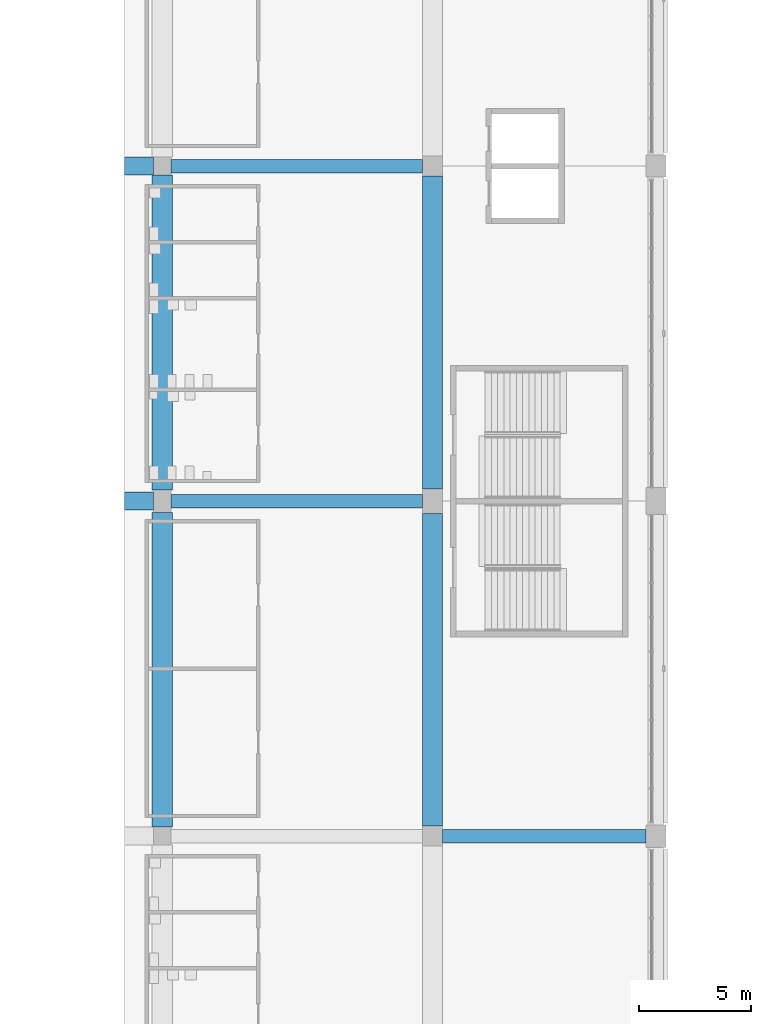
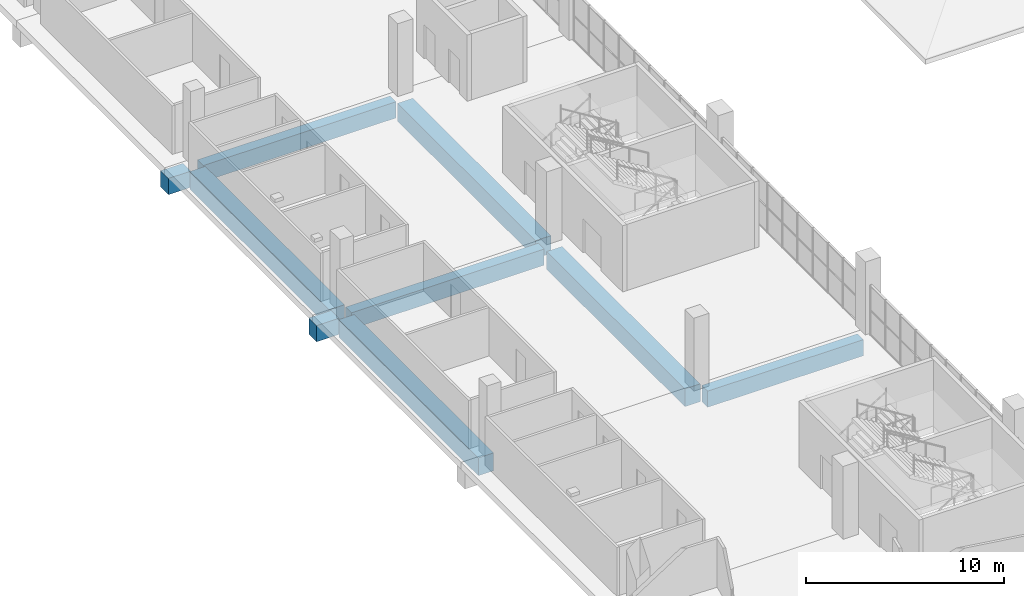
# One storey, part 28 of 199: 9 beams.
"""IFC4 building model written with IfcOpenShell, lengths in metres."""

import ifcopenshell
import ifcopenshell.guid

model = None  # the IFC model being written
_history = None  # IfcOwnerHistory: only IFC2X3 demands one
_inside = {}  # id of a spatial element -> (the spatial element, [elements in it])
_under = {}  # id of a project, library or spatial element -> (it, [spatial elements below it])
_declared = {}  # id of a project -> (the project, [libraries it declares])
_typed = {}  # id of a type object -> (the type object, [elements of that type])
_made_of = {}  # id of a material, layer set ... -> (it, [elements and type objects made of it])


def new_model(schema):
    """Start an empty IFC model of exactly this schema.

    Asked for "IFC4X3", IfcOpenShell would pick the latest addendum, in which some entities
    have other attributes; the version numbers below select the first issue.
    IFC2X3 requires an IfcOwnerHistory on every rooted entity: one is made here for all.
    """
    global model, _history
    if schema == "IFC4X3":
        model = ifcopenshell.file(schema_version=(4, 3, 0, 0))
    else:
        model = ifcopenshell.file(schema=schema)
    _inside.clear()
    _under.clear()
    _declared.clear()
    _typed.clear()
    _made_of.clear()
    _history = None
    if model.schema == "IFC2X3":
        org = make("IfcOrganization", Name="unknown")
        user = make(
            "IfcPersonAndOrganization",
            ThePerson=make("IfcPerson", FamilyName="unknown"),
            TheOrganization=org,
        )
        app = make(
            "IfcApplication",
            ApplicationDeveloper=org,
            Version="unknown",
            ApplicationFullName="unknown",
            ApplicationIdentifier="unknown",
        )
        _history = make(
            "IfcOwnerHistory",
            OwningUser=user,
            OwningApplication=app,
            ChangeAction="ADDED",
            CreationDate=0,
        )
    return model


def make(cls, **values):
    """One entity of the class cls with the attributes given. An attribute that is None is left unset."""
    return model.create_entity(
        cls, **{name: value for name, value in values.items() if value is not None}
    )


def rooted(cls, **values):
    """An entity with a GlobalId (a new one), such as an element, a storey or a relation."""
    return make(cls, GlobalId=ifcopenshell.guid.new(), OwnerHistory=_history, **values)


def si_unit(unit_type, name, prefix=None):
    """IfcSIUnit, for example si_unit("LENGTHUNIT", "METRE", prefix="MILLI")."""
    return make("IfcSIUnit", UnitType=unit_type, Prefix=prefix, Name=name)


def assignment(units):
    """IfcUnitAssignment: the units of a project."""
    return None if units is None else make("IfcUnitAssignment", Units=units)


def point(xyz):
    """IfcCartesianPoint."""
    return None if xyz is None else make("IfcCartesianPoint", Coordinates=xyz)


def direction(xyz):
    """IfcDirection."""
    return None if xyz is None else make("IfcDirection", DirectionRatios=xyz)


def frame(location, z_axis=None, x_axis=None):
    """IfcAxis2Placement3D, a coordinate frame: its origin and axes. An axis left out is left unset."""
    return make(
        "IfcAxis2Placement3D",
        Location=point(location),
        Axis=direction(z_axis),
        RefDirection=direction(x_axis),
    )


def frame_2d(location, x_axis=None):
    """IfcAxis2Placement2D, a coordinate frame in the plane: its origin and x axis."""
    return make(
        "IfcAxis2Placement2D", Location=point(location), RefDirection=direction(x_axis)
    )


def origin():
    """The frame at (0, 0, 0) with its axes left unset."""
    return frame((0.0, 0.0, 0.0))


def origin_2d():
    """The frame at (0, 0) in the plane with its x axis left unset."""
    return frame_2d((0.0, 0.0))


def place(relative_to, where):
    """IfcLocalPlacement: puts the frame where relative to a parent placement (None: the world)."""
    return make(
        "IfcLocalPlacement", PlacementRelTo=relative_to, RelativePlacement=where
    )


def context(
    kind, dimensions, precision=None, world=None, true_north=None, identifier=None
):
    """IfcGeometricRepresentationContext, for example the 3D "Model" context."""
    return make(
        "IfcGeometricRepresentationContext",
        ContextIdentifier=identifier,
        ContextType=kind,
        CoordinateSpaceDimension=dimensions,
        Precision=precision,
        WorldCoordinateSystem=world,
        TrueNorth=true_north,
    )


def subcontext(parent, identifier, kind, view, scale=None):
    """IfcGeometricRepresentationSubContext, for example "Body" below "Model"."""
    return make(
        "IfcGeometricRepresentationSubContext",
        ContextIdentifier=identifier,
        ContextType=kind,
        ParentContext=parent,
        TargetScale=scale,
        TargetView=view,
    )


def project(units=None, contexts=None):
    """IfcProject with its units and contexts."""
    return rooted(
        "IfcProject",
        Name="project",
        RepresentationContexts=contexts,
        UnitsInContext=assignment(units),
    )


def spatial(cls, under=None, at=None, **own):
    """A site, building, storey or space (cls), placed at a placement, below another one or the project."""
    s = rooted(cls, ObjectPlacement=at, **own)
    if under is not None:
        _under.setdefault(under.id(), (under, []))[1].append(s)
    return s


def profile(cls, at=None, kind="AREA", **sizes):
    """A parametric profile (cls). Its sizes go by their IFC names, for example OverallWidth=200.0."""
    return make(cls, ProfileType=kind, Position=at, **sizes)


def rectangle(**sizes):
    """IfcRectangleProfileDef."""
    return profile("IfcRectangleProfileDef", **sizes)


def extrude(swept, where, along, depth):
    """IfcExtrudedAreaSolid: the profile swept, set in the frame where, extruded along a direction by depth."""
    return make(
        "IfcExtrudedAreaSolid",
        SweptArea=swept,
        Position=where,
        ExtrudedDirection=direction(along),
        Depth=depth,
    )


def shape(context_of_items, identifier, shape_type, items):
    """IfcShapeRepresentation: the items that make up one representation, for example the "Body"."""
    return make(
        "IfcShapeRepresentation",
        ContextOfItems=context_of_items,
        RepresentationIdentifier=identifier,
        RepresentationType=shape_type,
        Items=items,
    )


def material(Name=None, Category=None):
    """IfcMaterial."""
    return make("IfcMaterial", Name=Name, Category=Category)


def material_profile(
    of_material, cross_section, Name=None, Category=None, Priority=None
):
    """IfcMaterialProfile: a cross section and its material."""
    return make(
        "IfcMaterialProfile",
        Name=Name,
        Material=of_material,
        Profile=cross_section,
        Priority=Priority,
        Category=Category,
    )


def profile_set(profiles, Name=None, composite=None):
    """IfcMaterialProfileSet."""
    return make(
        "IfcMaterialProfileSet",
        Name=Name,
        MaterialProfiles=profiles,
        CompositeProfile=composite,
    )


def made_of(thing, what):
    """Note that an element or type object is made of a material, layer set ...; save() writes the relation."""
    if what is not None:
        _made_of.setdefault(what.id(), (what, []))[1].append(thing)
    return thing


def type_object(cls, material=None, **own):
    """A type object (cls), such as IfcWallType, which elements share."""
    return made_of(rooted(cls, **own), material)


def element(
    cls,
    number,
    at=None,
    inside=None,
    cuts=None,
    type_object=None,
    material=None,
    context=None,
    identifier="Body",
    shape_type=None,
    held_by="IfcProductDefinitionShape",
    body=None,
    shapes=None,
    **own,
):
    """One element of the class cls, such as IfcWall. Its Tag is "e" and its number.

    at: its placement. inside: the storey or other place that contains it. cuts: it is an
    opening in that element (IfcRelVoidsElement). A single representation is given by context,
    identifier, shape_type and body (its items); several are given by shapes. held_by: the class
    of the entity that holds the representations. save() writes the other relations.
    """
    e = rooted(cls, Tag="e%d" % number, ObjectPlacement=at, **own)
    if body is not None:
        shapes = [shape(context, identifier, shape_type, body)]
    if shapes is not None:
        e.Representation = make(held_by, Representations=shapes)
    if inside is not None:
        _inside.setdefault(inside.id(), (inside, []))[1].append(e)
    if cuts is not None:
        rooted(
            "IfcRelVoidsElement", RelatingBuildingElement=cuts, RelatedOpeningElement=e
        )
    if type_object is not None:
        _typed.setdefault(type_object.id(), (type_object, []))[1].append(e)
    return made_of(e, material)


def aggregate(whole, parts):
    """IfcRelAggregates: a whole, such as a stair, and the parts it consists of."""
    return rooted("IfcRelAggregates", RelatingObject=whole, RelatedObjects=parts)


def save(model, path):
    """Write the relations noted so far, then the file.

    IfcRelAggregates (storeys below a building ...), IfcRelContainedInSpatialStructure (elements
    in a storey), IfcRelDefinesByType, IfcRelAssociatesMaterial and IfcRelDeclares: one each for
    every whole, place, type object, material and project.
    """
    for whole, parts in _under.values():
        aggregate(whole, parts)
    for where, things in _inside.values():
        rooted(
            "IfcRelContainedInSpatialStructure",
            RelatedElements=things,
            RelatingStructure=where,
        )
    for kind, things in _typed.values():
        rooted("IfcRelDefinesByType", RelatedObjects=things, RelatingType=kind)
    for what, things in _made_of.values():
        rooted("IfcRelAssociatesMaterial", RelatedObjects=things, RelatingMaterial=what)
    for by, libraries in _declared.values():
        rooted("IfcRelDeclares", RelatingContext=by, RelatedDefinitions=libraries)
    model.write(path)


model = new_model("IFC4")

# Units and contexts
model_context = context("Model", 3, precision=1e-05, world=origin(), true_north=direction((0.0, 1.0)))
body_context = subcontext(model_context, "Body", "Model", "MODEL_VIEW")
ifc_project = project(units=[si_unit("LENGTHUNIT", "METRE"), si_unit("AREAUNIT", "SQUARE_METRE"), si_unit("VOLUMEUNIT", "CUBIC_METRE"), si_unit("PLANEANGLEUNIT", "RADIAN"), si_unit("MASSUNIT", "GRAM", prefix="KILO")], contexts=[model_context])

# Site, building, storey
site_placement = place(None, origin())
site = spatial("IfcSite", under=ifc_project, at=site_placement, CompositionType="ELEMENT")
building_placement = place(site_placement, origin())
building = spatial("IfcBuilding", under=site, at=building_placement, Name="Ogive Plaza Stadium", CompositionType="ELEMENT")
storey_placement = place(building_placement, frame((0.0, 0.0, 4.5)))
storey = spatial("IfcBuildingStorey", under=building, at=storey_placement, Name="L01", CompositionType="ELEMENT", Elevation=4.5)

# Beams
ifc_material_1 = material(Name="Concrete C40/50", Category="concrete")
ifc_material_profile_1 = material_profile(ifc_material_1, rectangle(XDim=0.60009765625, YDim=1.0, at=origin_2d()), Name="RC 600x1000")
ifc_profile_set_1 = profile_set([ifc_material_profile_1], Name="Concrete C40/50")
beam_type_1 = type_object("IfcBeamType", Name="RC radial beam 600x1000", PredefinedType="BEAM", material=ifc_profile_set_1)
for number, where, z_axis, x_axis, name in (
    (1, (62.300048828125, -7.5, -0.909912109375), (1.0, 0.0, 0.0), (0.0, 1.0, 0.0), "Radial beam L01 R05 F3F4"),
    (2, (62.300048828125, -22.5, -0.909912109375), (1.0, 0.0, 0.0), (0.0, 1.0, 0.0), "Radial beam L01 R06 F3F4"),
):
    element("IfcBeam", number, at=place(storey_placement, frame(where, z_axis=z_axis, x_axis=x_axis)), inside=storey, type_object=beam_type_1, Name=name, PredefinedType="BEAM", context=body_context, shape_type="SweptSolid", body=[
        extrude(rectangle(XDim=0.60009765625, YDim=1.0, at=origin_2d()), origin(), (0.0, 0.0, 1.0), 11.25),
    ])
beam_1_placement = place(storey_placement, frame((74.449951171875, -37.5, -0.909912109375), z_axis=(1.0, 0.0, 0.0), x_axis=(0.0, 1.0, 0.0)))
element("IfcBeam", 3, at=beam_1_placement, inside=storey, type_object=beam_type_1, Name="Radial beam L01 R07 F4F5", PredefinedType="BEAM", context=body_context, shape_type="SweptSolid", body=[
    extrude(rectangle(XDim=0.60009765625, YDim=1.0, at=origin_2d()), origin(), (0.0, 0.0, 1.0), 9.10009765625),
])
ifc_material_2 = material(Name="Concrete C40/50", Category="concrete")
ifc_material_profile_2 = material_profile(ifc_material_2, rectangle(XDim=0.800048828125, YDim=1.0, at=origin_2d()), Name="RC 800x1000")
ifc_profile_set_2 = profile_set([ifc_material_profile_2], Name="Concrete C40/50")
beam_type_2 = type_object("IfcBeamType", Name="RC radial beam 800x1000", PredefinedType="BEAM", material=ifc_profile_set_2)
for number, where, z_axis, x_axis, name in (
    (4, (60.199951171875, -7.5, -0.909912109375), (1.0, 0.0, 0.0), (0.0, 1.0, 0.0), "Raker tail beam LT R05"),
    (5, (60.199951171875, -22.5, -0.909912109375), (1.0, 0.0, 0.0), (0.0, 1.0, 0.0), "Raker tail beam LT R06"),
):
    element("IfcBeam", number, at=place(storey_placement, frame(where, z_axis=z_axis, x_axis=x_axis)), inside=storey, type_object=beam_type_2, Name=name, PredefinedType="BEAM", context=body_context, shape_type="SweptSolid", body=[
        extrude(rectangle(XDim=0.800048828125, YDim=1.0, at=origin_2d()), origin(), (0.0, 0.0, 1.0), 1.300048828125),
    ])
ifc_material_3 = material(Name="Concrete C40/50", Category="concrete")
ifc_material_profile_3 = material_profile(ifc_material_3, rectangle(XDim=0.89990234375, YDim=1.10009765625, at=origin_2d()), Name="RC 900x1100")
ifc_profile_set_3 = profile_set([ifc_material_profile_3], Name="Concrete C40/50")
beam_type_3 = type_object("IfcBeamType", Name="RC ring beam 900x1100", PredefinedType="BEAM", material=ifc_profile_set_3)
beam_2_placement = place(storey_placement, frame((74.0, -7.949951171875, -0.9599609375), z_axis=(0.0, -1.0, 0.0), x_axis=(1.0, 0.0, 0.0)))
element("IfcBeam", 6, at=beam_2_placement, inside=storey, type_object=beam_type_3, Name="Ring beam F4 L01 B05", PredefinedType="BEAM", context=body_context, shape_type="SweptSolid", body=[
    extrude(rectangle(XDim=0.89990234375, YDim=1.10009765625, at=origin_2d()), origin(), (0.0, 0.0, 1.0), 14.0),
])
beam_3_placement = place(storey_placement, frame((61.89990234375, -7.89990234375, -0.9599609375), z_axis=(0.0, -1.0, 0.0), x_axis=(1.0, 0.0, 0.0)))
element("IfcBeam", 7, at=beam_3_placement, inside=storey, type_object=beam_type_3, Name="Ring beam F3 L01 B05", PredefinedType="BEAM", context=body_context, shape_type="SweptSolid", body=[
    extrude(rectangle(XDim=0.89990234375, YDim=1.10009765625, at=origin_2d()), origin(), (0.0, 0.0, 1.0), 14.10009765625),
])
beam_4_placement = place(storey_placement, frame((74.0, -23.050048828125, -0.9599609375), z_axis=(0.0, -1.0, 0.0), x_axis=(1.0, 0.0, 0.0)))
element("IfcBeam", 8, at=beam_4_placement, inside=storey, type_object=beam_type_3, Name="Ring beam F4 L01 B06", PredefinedType="BEAM", context=body_context, shape_type="SweptSolid", body=[
    extrude(rectangle(XDim=0.89990234375, YDim=1.10009765625, at=origin_2d()), origin(), (0.0, 0.0, 1.0), 14.0),
])
beam_5_placement = place(storey_placement, frame((61.89990234375, -23.0, -0.9599609375), z_axis=(0.0, -1.0, 0.0), x_axis=(1.0, 0.0, 0.0)))
element("IfcBeam", 9, at=beam_5_placement, inside=storey, type_object=beam_type_3, Name="Ring beam F3 L01 B06", PredefinedType="BEAM", context=body_context, shape_type="SweptSolid", body=[
    extrude(rectangle(XDim=0.89990234375, YDim=1.10009765625, at=origin_2d()), origin(), (0.0, 0.0, 1.0), 14.10009765625),
])

save(model, "model.ifc")
